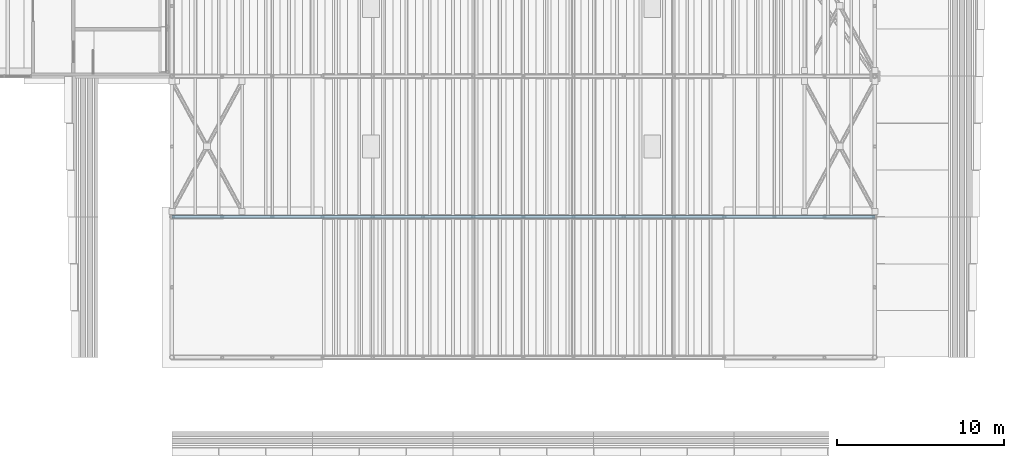
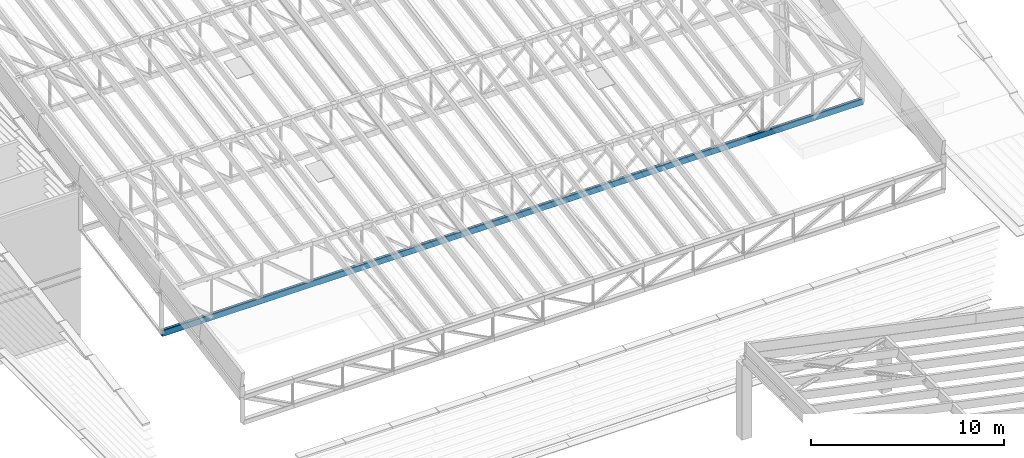
# One storey, part 4 of 91: 1 member.
"""IFC4 building model written with IfcOpenShell, lengths in metres."""

from ifc_helpers import new_model, si_unit, direction, frame, origin, origin_2d, place, context, subcontext, project, spatial, hollow_rectangle, extrude, material, material_profile, profile_set, type_object, element, save


model = new_model("IFC4")

# Units and contexts
model_context = context("Model", 3, precision=1e-05, world=origin(), true_north=direction((0.0, 1.0)))
body_context = subcontext(model_context, "Body", "Model", "MODEL_VIEW")
ifc_project = project(units=[si_unit("LENGTHUNIT", "METRE"), si_unit("AREAUNIT", "SQUARE_METRE"), si_unit("VOLUMEUNIT", "CUBIC_METRE"), si_unit("PLANEANGLEUNIT", "RADIAN"), si_unit("MASSUNIT", "GRAM", prefix="KILO")], contexts=[model_context])

# Site, building, storey
site_placement = place(None, origin())
site = spatial("IfcSite", under=ifc_project, at=site_placement, CompositionType="ELEMENT")
building_placement = place(site_placement, origin())
building = spatial("IfcBuilding", under=site, at=building_placement, Name="Almond Square Museum", CompositionType="ELEMENT")
storey_placement = place(building_placement, frame((0.0, 0.0, 30.0)))
storey = spatial("IfcBuildingStorey", under=building, at=storey_placement, Name="L05", CompositionType="ELEMENT", Elevation=30.0)

# Member
ifc_material = material(Name="Structural steel S355", Category="steel")
ifc_material_profile = material_profile(ifc_material, hollow_rectangle(XDim=0.199951171875, YDim=0.39990234375, WallThickness=0.012451171875, InnerFilletRadius=0.02490234375, OuterFilletRadius=0.03759765625, at=origin_2d()))
ifc_profile_set = profile_set([ifc_material_profile], Name="Structural steel S355")
member_type = type_object("IfcMemberType", Name="Truss chord RHS 400x200x12.5", PredefinedType="CHORD", material=ifc_profile_set)
member_placement = place(storey_placement, frame((106.800048828125, 58.800048828125, 5.169921875), z_axis=(1.0, 0.0, 0.0), x_axis=(0.0, 1.0, 0.0)))
element("IfcMember", 1, at=member_placement, inside=storey, type_object=member_type, Name="TR-02 bottom chord 1 to 14", PredefinedType="CHORD", context=body_context, shape_type="SweptSolid", body=[
    extrude(hollow_rectangle(XDim=0.199951171875, YDim=0.39990234375, WallThickness=0.012451171875, InnerFilletRadius=0.02490234375, OuterFilletRadius=0.03759765625, at=origin_2d()), origin(), (0.0, 0.0, 1.0), 42.0),
])

save(model, "model.ifc")
